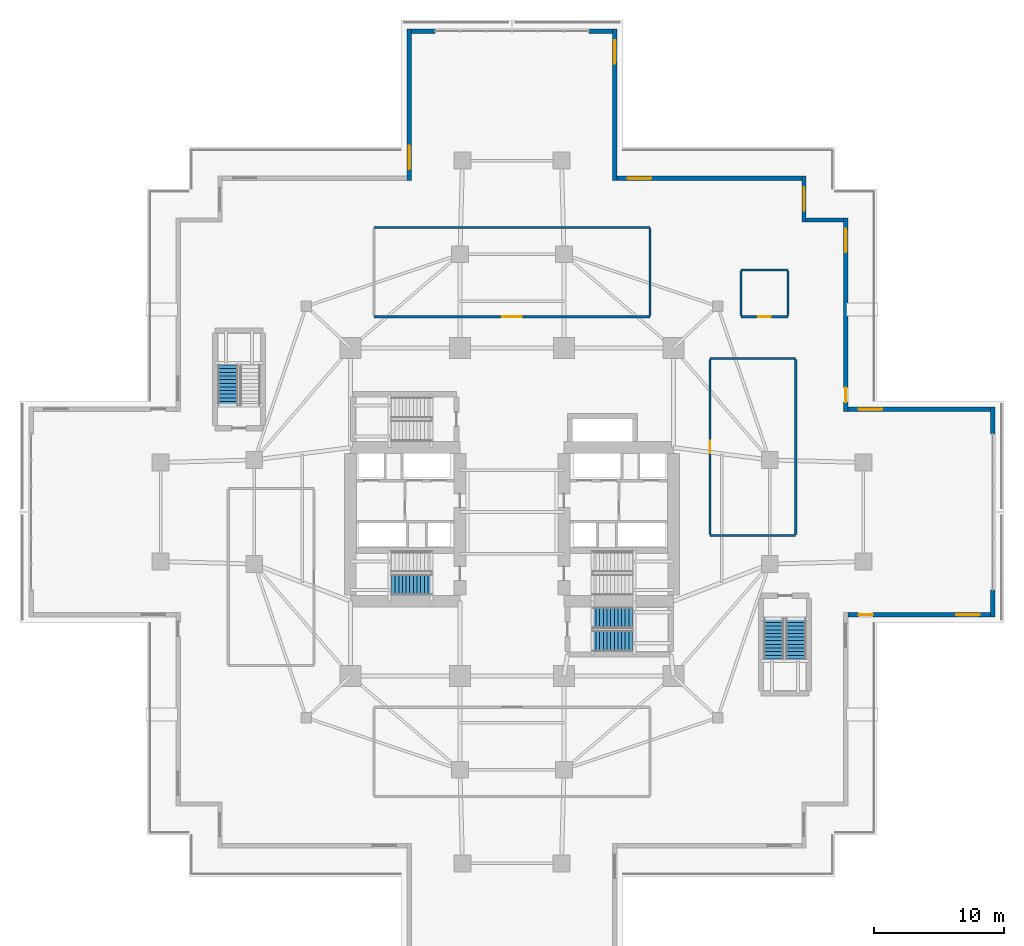
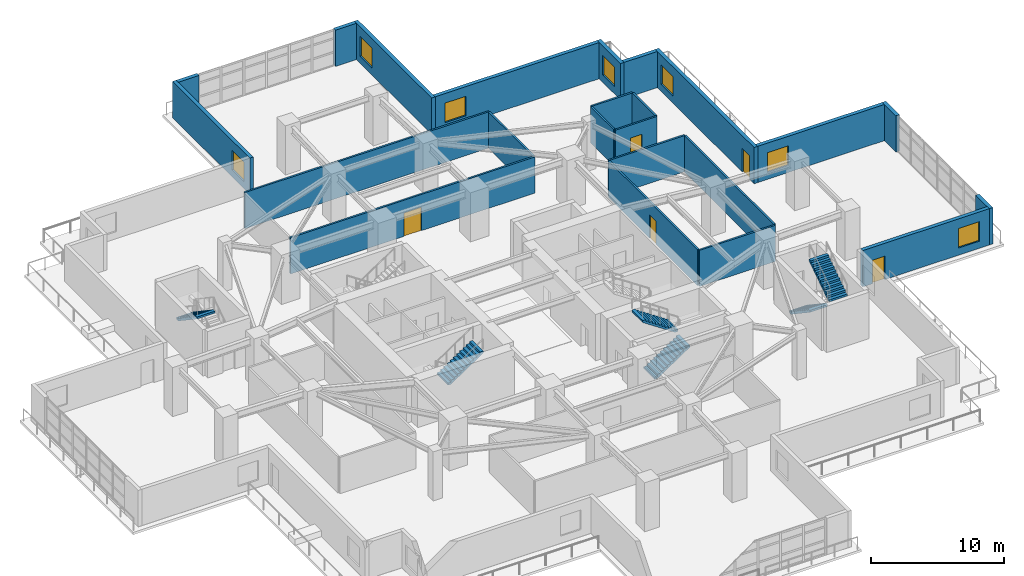
# One storey, part 17 of 24: 23 walls, 7 windows, 6 stair flights, 5 doors, 12 openings, 4 elements without a shape of their own.
"""IFC4 building model written with IfcOpenShell, lengths in metres."""

import ifcopenshell
import ifcopenshell.guid

model = None  # the IFC model being written
_history = None  # IfcOwnerHistory: only IFC2X3 demands one
_inside = {}  # id of a spatial element -> (the spatial element, [elements in it])
_under = {}  # id of a project, library or spatial element -> (it, [spatial elements below it])
_declared = {}  # id of a project -> (the project, [libraries it declares])
_typed = {}  # id of a type object -> (the type object, [elements of that type])
_made_of = {}  # id of a material, layer set ... -> (it, [elements and type objects made of it])


def new_model(schema):
    """Start an empty IFC model of exactly this schema.

    Asked for "IFC4X3", IfcOpenShell would pick the latest addendum, in which some entities
    have other attributes; the version numbers below select the first issue.
    IFC2X3 requires an IfcOwnerHistory on every rooted entity: one is made here for all.
    """
    global model, _history
    if schema == "IFC4X3":
        model = ifcopenshell.file(schema_version=(4, 3, 0, 0))
    else:
        model = ifcopenshell.file(schema=schema)
    _inside.clear()
    _under.clear()
    _declared.clear()
    _typed.clear()
    _made_of.clear()
    _history = None
    if model.schema == "IFC2X3":
        org = make("IfcOrganization", Name="unknown")
        user = make(
            "IfcPersonAndOrganization",
            ThePerson=make("IfcPerson", FamilyName="unknown"),
            TheOrganization=org,
        )
        app = make(
            "IfcApplication",
            ApplicationDeveloper=org,
            Version="unknown",
            ApplicationFullName="unknown",
            ApplicationIdentifier="unknown",
        )
        _history = make(
            "IfcOwnerHistory",
            OwningUser=user,
            OwningApplication=app,
            ChangeAction="ADDED",
            CreationDate=0,
        )
    return model


def make(cls, **values):
    """One entity of the class cls with the attributes given. An attribute that is None is left unset."""
    return model.create_entity(
        cls, **{name: value for name, value in values.items() if value is not None}
    )


def rooted(cls, **values):
    """An entity with a GlobalId (a new one), such as an element, a storey or a relation."""
    return make(cls, GlobalId=ifcopenshell.guid.new(), OwnerHistory=_history, **values)


def si_unit(unit_type, name, prefix=None):
    """IfcSIUnit, for example si_unit("LENGTHUNIT", "METRE", prefix="MILLI")."""
    return make("IfcSIUnit", UnitType=unit_type, Prefix=prefix, Name=name)


def assignment(units):
    """IfcUnitAssignment: the units of a project."""
    return None if units is None else make("IfcUnitAssignment", Units=units)


def point(xyz):
    """IfcCartesianPoint."""
    return None if xyz is None else make("IfcCartesianPoint", Coordinates=xyz)


def direction(xyz):
    """IfcDirection."""
    return None if xyz is None else make("IfcDirection", DirectionRatios=xyz)


def frame(location, z_axis=None, x_axis=None):
    """IfcAxis2Placement3D, a coordinate frame: its origin and axes. An axis left out is left unset."""
    return make(
        "IfcAxis2Placement3D",
        Location=point(location),
        Axis=direction(z_axis),
        RefDirection=direction(x_axis),
    )


def frame_2d(location, x_axis=None):
    """IfcAxis2Placement2D, a coordinate frame in the plane: its origin and x axis."""
    return make(
        "IfcAxis2Placement2D", Location=point(location), RefDirection=direction(x_axis)
    )


def origin():
    """The frame at (0, 0, 0) with its axes left unset."""
    return frame((0.0, 0.0, 0.0))


def place(relative_to, where):
    """IfcLocalPlacement: puts the frame where relative to a parent placement (None: the world)."""
    return make(
        "IfcLocalPlacement", PlacementRelTo=relative_to, RelativePlacement=where
    )


def context(
    kind, dimensions, precision=None, world=None, true_north=None, identifier=None
):
    """IfcGeometricRepresentationContext, for example the 3D "Model" context."""
    return make(
        "IfcGeometricRepresentationContext",
        ContextIdentifier=identifier,
        ContextType=kind,
        CoordinateSpaceDimension=dimensions,
        Precision=precision,
        WorldCoordinateSystem=world,
        TrueNorth=true_north,
    )


def subcontext(parent, identifier, kind, view, scale=None):
    """IfcGeometricRepresentationSubContext, for example "Body" below "Model"."""
    return make(
        "IfcGeometricRepresentationSubContext",
        ContextIdentifier=identifier,
        ContextType=kind,
        ParentContext=parent,
        TargetScale=scale,
        TargetView=view,
    )


def project(units=None, contexts=None):
    """IfcProject with its units and contexts."""
    return rooted(
        "IfcProject",
        Name="project",
        RepresentationContexts=contexts,
        UnitsInContext=assignment(units),
    )


def spatial(cls, under=None, at=None, **own):
    """A site, building, storey or space (cls), placed at a placement, below another one or the project."""
    s = rooted(cls, ObjectPlacement=at, **own)
    if under is not None:
        _under.setdefault(under.id(), (under, []))[1].append(s)
    return s


def polyline(points):
    """IfcPolyline through the points."""
    return make("IfcPolyline", Points=[point(p) for p in points])


def profile(cls, at=None, kind="AREA", **sizes):
    """A parametric profile (cls). Its sizes go by their IFC names, for example OverallWidth=200.0."""
    return make(cls, ProfileType=kind, Position=at, **sizes)


def rectangle(**sizes):
    """IfcRectangleProfileDef."""
    return profile("IfcRectangleProfileDef", **sizes)


def outline(outer, holes=None, kind="AREA"):
    """IfcArbitraryClosedProfileDef: a profile drawn as a closed curve; with holes, ...WithVoids."""
    if holes is None:
        return make("IfcArbitraryClosedProfileDef", ProfileType=kind, OuterCurve=outer)
    return make(
        "IfcArbitraryProfileDefWithVoids",
        ProfileType=kind,
        OuterCurve=outer,
        InnerCurves=holes,
    )


def extrude(swept, where, along, depth):
    """IfcExtrudedAreaSolid: the profile swept, set in the frame where, extruded along a direction by depth."""
    return make(
        "IfcExtrudedAreaSolid",
        SweptArea=swept,
        Position=where,
        ExtrudedDirection=direction(along),
        Depth=depth,
    )


def shape(context_of_items, identifier, shape_type, items):
    """IfcShapeRepresentation: the items that make up one representation, for example the "Body"."""
    return make(
        "IfcShapeRepresentation",
        ContextOfItems=context_of_items,
        RepresentationIdentifier=identifier,
        RepresentationType=shape_type,
        Items=items,
    )


def material(Name=None, Category=None):
    """IfcMaterial."""
    return make("IfcMaterial", Name=Name, Category=Category)


def layer(
    of_material, thickness, ventilated=None, Name=None, Category=None, Priority=None
):
    """IfcMaterialLayer: one layer of a wall or slab, of a material (None: an air gap)."""
    return make(
        "IfcMaterialLayer",
        Material=of_material,
        LayerThickness=thickness,
        IsVentilated=ventilated,
        Name=Name,
        Category=Category,
        Priority=Priority,
    )


def layer_set(layers, Name=None):
    """IfcMaterialLayerSet."""
    return make("IfcMaterialLayerSet", MaterialLayers=layers, LayerSetName=Name)


def made_of(thing, what):
    """Note that an element or type object is made of a material, layer set ...; save() writes the relation."""
    if what is not None:
        _made_of.setdefault(what.id(), (what, []))[1].append(thing)
    return thing


def type_object(cls, material=None, **own):
    """A type object (cls), such as IfcWallType, which elements share."""
    return made_of(rooted(cls, **own), material)


def element(
    cls,
    number,
    at=None,
    inside=None,
    cuts=None,
    type_object=None,
    material=None,
    context=None,
    identifier="Body",
    shape_type=None,
    held_by="IfcProductDefinitionShape",
    body=None,
    shapes=None,
    **own,
):
    """One element of the class cls, such as IfcWall. Its Tag is "e" and its number.

    at: its placement. inside: the storey or other place that contains it. cuts: it is an
    opening in that element (IfcRelVoidsElement). A single representation is given by context,
    identifier, shape_type and body (its items); several are given by shapes. held_by: the class
    of the entity that holds the representations. save() writes the other relations.
    """
    e = rooted(cls, Tag="e%d" % number, ObjectPlacement=at, **own)
    if body is not None:
        shapes = [shape(context, identifier, shape_type, body)]
    if shapes is not None:
        e.Representation = make(held_by, Representations=shapes)
    if inside is not None:
        _inside.setdefault(inside.id(), (inside, []))[1].append(e)
    if cuts is not None:
        rooted(
            "IfcRelVoidsElement", RelatingBuildingElement=cuts, RelatedOpeningElement=e
        )
    if type_object is not None:
        _typed.setdefault(type_object.id(), (type_object, []))[1].append(e)
    return made_of(e, material)


def fill(opening, filler):
    """IfcRelFillsElement: the door or window that sits in an opening."""
    return rooted(
        "IfcRelFillsElement",
        RelatingOpeningElement=opening,
        RelatedBuildingElement=filler,
    )


def aggregate(whole, parts):
    """IfcRelAggregates: a whole, such as a stair, and the parts it consists of."""
    return rooted("IfcRelAggregates", RelatingObject=whole, RelatedObjects=parts)


def save(model, path):
    """Write the relations noted so far, then the file.

    IfcRelAggregates (storeys below a building ...), IfcRelContainedInSpatialStructure (elements
    in a storey), IfcRelDefinesByType, IfcRelAssociatesMaterial and IfcRelDeclares: one each for
    every whole, place, type object, material and project.
    """
    for whole, parts in _under.values():
        aggregate(whole, parts)
    for where, things in _inside.values():
        rooted(
            "IfcRelContainedInSpatialStructure",
            RelatedElements=things,
            RelatingStructure=where,
        )
    for kind, things in _typed.values():
        rooted("IfcRelDefinesByType", RelatedObjects=things, RelatingType=kind)
    for what, things in _made_of.values():
        rooted("IfcRelAssociatesMaterial", RelatedObjects=things, RelatingMaterial=what)
    for by, libraries in _declared.values():
        rooted("IfcRelDeclares", RelatingContext=by, RelatedDefinitions=libraries)
    model.write(path)


model = new_model("IFC4")

# Units and contexts
model_context = context("Model", 3, precision=1e-05, world=origin(), true_north=direction((0.0, 1.0)))
body_context = subcontext(model_context, "Body", "Model", "MODEL_VIEW")
ifc_project = project(units=[si_unit("LENGTHUNIT", "METRE"), si_unit("AREAUNIT", "SQUARE_METRE"), si_unit("VOLUMEUNIT", "CUBIC_METRE"), si_unit("PLANEANGLEUNIT", "RADIAN"), si_unit("MASSUNIT", "GRAM", prefix="KILO")], contexts=[model_context])

# Site, building, storey
site_placement = place(None, origin())
site = spatial("IfcSite", under=ifc_project, at=site_placement, CompositionType="ELEMENT")
building_placement = place(site_placement, origin())
building = spatial("IfcBuilding", under=site, at=building_placement, Name="Qingluan Cross Belvedere", CompositionType="ELEMENT")
storey_placement = place(building_placement, frame((0.0, 0.0, 14.699951171875)))
storey = spatial("IfcBuildingStorey", under=building, at=storey_placement, Name="L04", CompositionType="ELEMENT", Elevation=14.699951171875)

# Wall, opening, door
ifc_material_1 = material(Name="Gypsum plasterboard on steel stud acoustic partition", Category="steel")
ifc_layer_1 = layer(ifc_material_1, 0.159912109375, Name="CorridorPartition_160")
ifc_layer_set_1 = layer_set([ifc_layer_1], Name="Gypsum plasterboard on steel stud acoustic partition")
wall_type_1 = type_object("IfcWallType", Name="CorridorPartition_160", PredefinedType="PARTITIONING", material=ifc_layer_set_1)
wall_1_placement = place(storey_placement, frame((-10.60009765625, 15.0, 0.0), z_axis=(0.0, 0.0, 1.0), x_axis=(1.0, 0.0, 0.0)))
wall_1 = element("IfcWall", 1, at=wall_1_placement, inside=storey, type_object=wall_type_1, Name="Partition L04:pod_n:S", PredefinedType="PARTITIONING", context=body_context, shape_type="SweptSolid", body=[
    extrude(rectangle(XDim=21.2001953125, YDim=0.159912109375, at=frame_2d((10.60009765625, 0.0))), origin(), (0.0, 0.0, 1.0), 3.320068359375),
])
opening_1_placement = place(wall_1_placement, frame((9.85009765625, 0.0, 0.0)))
opening_1 = element("IfcOpeningElement", 2, at=opening_1_placement, cuts=wall_1, Name="Opening FD-A15", PredefinedType="OPENING", context=body_context, shape_type="SweptSolid", body=[
    extrude(rectangle(XDim=1.5, YDim=2.14990234375, at=frame_2d((0.75, 1.074951171875))), frame((0.0, 0.08984375, 0.0), z_axis=(0.0, -1.0, 0.0), x_axis=(1.0, 0.0, 0.0)), (0.0, 0.0, 1.0), 0.179931640625),
])
ifc_material_2 = material(Name="Insulated steel Class A double fire door", Category="steel")
door_type_1 = type_object("IfcDoorType", Name="PlantDoubleFireDoor_FDA", OperationType="DOUBLE_DOOR_SINGLE_SWING", PredefinedType="DOOR", material=ifc_material_2)
door_1_placement = place(opening_1_placement, origin())
door_1 = element("IfcDoor", 3, at=door_1_placement, inside=storey, type_object=door_type_1, Name="Signature Cantonese restaurant North L04 door", OperationType="DOUBLE_DOOR_SINGLE_SWING", OverallHeight=2.14990234375, OverallWidth=1.5, PredefinedType="DOOR", context=body_context, shape_type="SweptSolid", body=[
    extrude(rectangle(XDim=1.5, YDim=2.14990234375, at=frame_2d((0.75, 1.074951171875))), frame((0.0, 0.02490234375, 0.0), z_axis=(0.0, -1.0, 0.0), x_axis=(1.0, 0.0, 0.0)), (0.0, 0.0, 1.0), 0.050048828125),
])
fill(opening_1, door_1)

# Walls
wall_2_placement = place(storey_placement, frame((-10.60009765625, 21.85009765625, 0.0), z_axis=(0.0, 0.0, 1.0), x_axis=(1.0, 0.0, 0.0)))
element("IfcWall", 4, at=wall_2_placement, inside=storey, type_object=wall_type_1, Name="Partition L04:pod_n:N", PredefinedType="PARTITIONING", context=body_context, shape_type="SweptSolid", body=[
    extrude(rectangle(XDim=21.2001953125, YDim=0.159912109375, at=frame_2d((10.60009765625, 0.0))), origin(), (0.0, 0.0, 1.0), 3.320068359375),
])
wall_3_placement = place(storey_placement, frame((10.60009765625, 15.0849609375, 0.0), z_axis=(0.0, 0.0, 1.0), x_axis=(0.0, 1.0, 0.0)))
element("IfcWall", 5, at=wall_3_placement, inside=storey, type_object=wall_type_1, Name="Partition L04:pod_n:E", PredefinedType="PARTITIONING", context=body_context, shape_type="SweptSolid", body=[
    extrude(rectangle(XDim=6.679931640625, YDim=0.159912109375, at=frame_2d((3.33984375, 0.0))), origin(), (0.0, 0.0, 1.0), 3.320068359375),
])
for number, where, z_axis, x_axis, name in (
    (6, (15.199951171875, -1.800048828125, 0.0), (0.0, 0.0, 1.0), (1.0, 0.0, 0.0), "Partition L04:pod_e:S"),
    (7, (15.199951171875, 11.800048828125, 0.0), (0.0, 0.0, 1.0), (1.0, 0.0, 0.0), "Partition L04:pod_e:N"),
):
    element("IfcWall", number, at=place(storey_placement, frame(where, z_axis=z_axis, x_axis=x_axis)), inside=storey, type_object=wall_type_1, Name=name, PredefinedType="PARTITIONING", context=body_context, shape_type="SweptSolid", body=[
        extrude(rectangle(XDim=6.60009765625, YDim=0.159912109375, at=frame_2d((3.300048828125, 0.0))), origin(), (0.0, 0.0, 1.0), 3.320068359375),
    ])

# Wall, opening, door
wall_4_placement = place(storey_placement, frame((15.199951171875, -1.715087890625, 0.0), z_axis=(0.0, 0.0, 1.0), x_axis=(0.0, 1.0, 0.0)))
wall_4 = element("IfcWall", 8, at=wall_4_placement, inside=storey, type_object=wall_type_1, Name="Partition L04:pod_e:W", PredefinedType="PARTITIONING", context=body_context, shape_type="SweptSolid", body=[
    extrude(rectangle(XDim=13.43017578125, YDim=0.159912109375, at=frame_2d((6.715087890625, 0.0))), origin(), (0.0, 0.0, 1.0), 3.320068359375),
])
opening_2_placement = place(wall_4_placement, frame((6.235107421875, 0.0, 0.0)))
opening_2 = element("IfcOpeningElement", 9, at=opening_2_placement, cuts=wall_4, Name="Opening GD-10", PredefinedType="OPENING", context=body_context, shape_type="SweptSolid", body=[
    extrude(rectangle(XDim=0.9599609375, YDim=2.14990234375, at=frame_2d((0.47998046875, 1.074951171875))), frame((0.0, 0.08984375, 0.0), z_axis=(0.0, -1.0, 0.0), x_axis=(1.0, 0.0, 0.0)), (0.0, 0.0, 1.0), 0.179931640625),
])
ifc_material_3 = material(Name="Timber oak fire-rated acoustic guestroom door", Category="wood")
door_type_2 = type_object("IfcDoorType", Name="GuestEntryDoor_FD60", OperationType="NOTDEFINED", PredefinedType="DOOR", material=ifc_material_3)
door_2_placement = place(opening_2_placement, origin())
door_2 = element("IfcDoor", 10, at=door_2_placement, inside=storey, type_object=door_type_2, Name="Private dining rooms East L04 door", OperationType="SINGLE_SWING_RIGHT", OverallHeight=2.14990234375, OverallWidth=0.9599609375, PredefinedType="DOOR", context=body_context, shape_type="SweptSolid", body=[
    extrude(rectangle(XDim=0.9599609375, YDim=2.14990234375, at=frame_2d((0.47998046875, 1.074951171875))), frame((0.0, 0.02490234375, 0.0), z_axis=(0.0, -1.0, 0.0), x_axis=(1.0, 0.0, 0.0)), (0.0, 0.0, 1.0), 0.050048828125),
])
fill(opening_2, door_2)

# Wall
wall_5_placement = place(storey_placement, frame((21.800048828125, -1.715087890625, 0.0), z_axis=(0.0, 0.0, 1.0), x_axis=(0.0, 1.0, 0.0)))
element("IfcWall", 11, at=wall_5_placement, inside=storey, type_object=wall_type_1, Name="Partition L04:pod_e:E", PredefinedType="PARTITIONING", context=body_context, shape_type="SweptSolid", body=[
    extrude(rectangle(XDim=13.43017578125, YDim=0.159912109375, at=frame_2d((6.715087890625, 0.0))), origin(), (0.0, 0.0, 1.0), 3.320068359375),
])

# Wall, opening, door
wall_6_placement = place(storey_placement, frame((17.60009765625, 15.0, 0.0), z_axis=(0.0, 0.0, 1.0), x_axis=(1.0, 0.0, 0.0)))
wall_6 = element("IfcWall", 12, at=wall_6_placement, inside=storey, type_object=wall_type_1, Name="Partition L04:pod_wc:S", PredefinedType="PARTITIONING", context=body_context, shape_type="SweptSolid", body=[
    extrude(rectangle(XDim=3.599853515625, YDim=0.159912109375, at=frame_2d((1.7998046875, 0.0))), origin(), (0.0, 0.0, 1.0), 3.320068359375),
])
opening_3_placement = place(wall_6_placement, frame((1.320068359375, 0.0, 0.0)))
opening_3 = element("IfcOpeningElement", 13, at=opening_3_placement, cuts=wall_6, Name="Opening GD-10", PredefinedType="OPENING", context=body_context, shape_type="SweptSolid", body=[
    extrude(rectangle(XDim=0.9599609375, YDim=2.14990234375, at=frame_2d((0.47998046875, 1.074951171875))), frame((0.0, 0.08984375, 0.0), z_axis=(0.0, -1.0, 0.0), x_axis=(1.0, 0.0, 0.0)), (0.0, 0.0, 1.0), 0.179931640625),
])
door_3_placement = place(opening_3_placement, origin())
door_3 = element("IfcDoor", 14, at=door_3_placement, inside=storey, type_object=door_type_2, Name="Public washrooms L04 door", OperationType="SINGLE_SWING_RIGHT", OverallHeight=2.14990234375, OverallWidth=0.9599609375, PredefinedType="DOOR", context=body_context, shape_type="SweptSolid", body=[
    extrude(rectangle(XDim=0.9599609375, YDim=2.14990234375, at=frame_2d((0.47998046875, 1.074951171875))), frame((0.0, 0.02490234375, 0.0), z_axis=(0.0, -1.0, 0.0), x_axis=(1.0, 0.0, 0.0)), (0.0, 0.0, 1.0), 0.050048828125),
])
fill(opening_3, door_3)

# Walls
wall_7_placement = place(storey_placement, frame((17.60009765625, 18.60009765625, 0.0), z_axis=(0.0, 0.0, 1.0), x_axis=(1.0, 0.0, 0.0)))
element("IfcWall", 15, at=wall_7_placement, inside=storey, type_object=wall_type_1, Name="Partition L04:pod_wc:N", PredefinedType="PARTITIONING", context=body_context, shape_type="SweptSolid", body=[
    extrude(rectangle(XDim=3.599853515625, YDim=0.159912109375, at=frame_2d((1.7998046875, 0.0))), origin(), (0.0, 0.0, 1.0), 3.320068359375),
])
for number, where, z_axis, x_axis, name in (
    (16, (17.60009765625, 15.0849609375, 0.0), (0.0, 0.0, 1.0), (0.0, 1.0, 0.0), "Partition L04:pod_wc:W"),
    (17, (21.199951171875, 15.0849609375, 0.0), (0.0, 0.0, 1.0), (0.0, 1.0, 0.0), "Partition L04:pod_wc:E"),
):
    element("IfcWall", number, at=place(storey_placement, frame(where, z_axis=z_axis, x_axis=x_axis)), inside=storey, type_object=wall_type_1, Name=name, PredefinedType="PARTITIONING", context=body_context, shape_type="SweptSolid", body=[
        extrude(rectangle(XDim=3.429931640625, YDim=0.159912109375, at=frame_2d((1.71484375, 0.0))), origin(), (0.0, 0.0, 1.0), 3.320068359375),
    ])

# Wall, opening, window
ifc_material_4 = material(Name="Precast concrete C45", Category="concrete")
ifc_layer_2 = layer(ifc_material_4, 0.320068359375, Name="PrecastPodiumWall_320")
ifc_layer_set_2 = layer_set([ifc_layer_2], Name="Precast concrete C45")
wall_type_2 = type_object("IfcWallType", Name="PrecastPodiumWall_320", PredefinedType="STANDARD", material=ifc_layer_set_2)
wall_8_placement = place(storey_placement, frame((-7.889892578125, 25.47998046875, 0.0), z_axis=(0.0, 0.0, 1.0), x_axis=(0.0, 1.0, 0.0)))
wall_8 = element("IfcWall", 18, at=wall_8_placement, inside=storey, type_object=wall_type_2, Name="Podium precast facade wall L04-S18", PredefinedType="STANDARD", context=body_context, shape_type="SweptSolid", body=[
    extrude(rectangle(XDim=11.6201171875, YDim=0.320068359375, at=frame_2d((5.81005859375, 0.0))), origin(), (0.0, 0.0, 1.0), 3.330078125),
])
opening_4_placement = place(wall_8_placement, frame((0.85009765625, 0.0, 0.64990234375)))
opening_4 = element("IfcOpeningElement", 19, at=opening_4_placement, cuts=wall_8, Name="Opening W-06", PredefinedType="OPENING", context=body_context, shape_type="SweptSolid", body=[
    extrude(rectangle(XDim=1.800048828125, YDim=1.800048828125, at=frame_2d((0.89990234375, 0.89990234375))), frame((0.0, 0.169921875, 0.0), z_axis=(0.0, -1.0, 0.0), x_axis=(1.0, 0.0, 0.0)), (0.0, 0.0, 1.0), 0.340087890625),
])
ifc_material_5 = material(Name="Thermally broken triple Low-E glass in aluminium frame", Category="aluminium")
window_type = type_object("IfcWindowType", Name="PodiumGalleryWin_1800x1800", PartitioningType="SINGLE_PANEL", PredefinedType="WINDOW", material=ifc_material_5)
window_1_placement = place(opening_4_placement, origin())
window_1 = element("IfcWindow", 20, at=window_1_placement, inside=storey, type_object=window_type, Name="Podium gallery window L04-S18", OverallHeight=1.800048828125, OverallWidth=1.800048828125, PartitioningType="SINGLE_PANEL", PredefinedType="WINDOW", context=body_context, shape_type="SweptSolid", body=[
    extrude(rectangle(XDim=1.800048828125, YDim=1.800048828125, at=frame_2d((0.89990234375, 0.89990234375))), frame((0.0, 0.030029296875, 0.0), z_axis=(0.0, -1.0, 0.0), x_axis=(1.0, 0.0, 0.0)), (0.0, 0.0, 1.0), 0.06005859375),
])
fill(opening_4, window_1)

# Walls
for number, where, z_axis, x_axis, name in (
    (21, (-7.72998046875, 36.93994140625, 0.0), (0.0, 0.0, 1.0), (1.0, 0.0, 0.0), "Podium portal pier L04-P3JA"),
    (22, (5.929931640625, 36.93994140625, 0.0), (0.0, 0.0, 1.0), (1.0, 0.0, 0.0), "Podium portal pier L04-P3JB"),
):
    element("IfcWall", number, at=place(storey_placement, frame(where, z_axis=z_axis, x_axis=x_axis)), inside=storey, type_object=wall_type_2, Name=name, PredefinedType="STANDARD", context=body_context, shape_type="SweptSolid", body=[
        extrude(rectangle(XDim=1.800048828125, YDim=0.320068359375, at=frame_2d((0.89990234375, 0.0))), origin(), (0.0, 0.0, 1.0), 3.330078125),
    ])

# Wall, opening, window
wall_9_placement = place(storey_placement, frame((7.889892578125, 37.10009765625, 0.0), z_axis=(0.0, 0.0, 1.0), x_axis=(0.0, -1.0, 0.0)))
wall_9 = element("IfcWall", 23, at=wall_9_placement, inside=storey, type_object=wall_type_2, Name="Podium precast facade wall L04-S21", PredefinedType="STANDARD", context=body_context, shape_type="SweptSolid", body=[
    extrude(rectangle(XDim=11.6201171875, YDim=0.320068359375, at=frame_2d((5.81005859375, 0.0))), origin(), (0.0, 0.0, 1.0), 3.330078125),
])
opening_5_placement = place(wall_9_placement, frame((0.85009765625, 0.0, 0.64990234375)))
opening_5 = element("IfcOpeningElement", 24, at=opening_5_placement, cuts=wall_9, Name="Opening W-06", PredefinedType="OPENING", context=body_context, shape_type="SweptSolid", body=[
    extrude(rectangle(XDim=1.800048828125, YDim=1.800048828125, at=frame_2d((0.89990234375, 0.89990234375))), frame((0.0, 0.169921875, 0.0), z_axis=(0.0, -1.0, 0.0), x_axis=(1.0, 0.0, 0.0)), (0.0, 0.0, 1.0), 0.340087890625),
])
window_2_placement = place(opening_5_placement, origin())
window_2 = element("IfcWindow", 25, at=window_2_placement, inside=storey, type_object=window_type, Name="Podium gallery window L04-S21", OverallHeight=1.800048828125, OverallWidth=1.800048828125, PartitioningType="SINGLE_PANEL", PredefinedType="WINDOW", context=body_context, shape_type="SweptSolid", body=[
    extrude(rectangle(XDim=1.800048828125, YDim=1.800048828125, at=frame_2d((0.89990234375, 0.89990234375))), frame((0.0, 0.030029296875, 0.0), z_axis=(0.0, -1.0, 0.0), x_axis=(1.0, 0.0, 0.0)), (0.0, 0.0, 1.0), 0.06005859375),
])
fill(opening_5, window_2)

wall_10_placement = place(storey_placement, frame((8.050048828125, 25.639892578125, 0.0), z_axis=(0.0, 0.0, 1.0), x_axis=(1.0, 0.0, 0.0)))
wall_10 = element("IfcWall", 26, at=wall_10_placement, inside=storey, type_object=wall_type_2, Name="Podium precast facade wall L04-S22", PredefinedType="STANDARD", context=body_context, shape_type="SweptSolid", body=[
    extrude(rectangle(XDim=14.22998046875, YDim=0.320068359375, at=frame_2d((7.114990234375, 0.0))), origin(), (0.0, 0.0, 1.0), 3.330078125),
])
opening_6_placement = place(wall_10_placement, frame((0.85009765625, 0.0, 0.64990234375)))
opening_6 = element("IfcOpeningElement", 27, at=opening_6_placement, cuts=wall_10, Name="Opening W-06", PredefinedType="OPENING", context=body_context, shape_type="SweptSolid", body=[
    extrude(rectangle(XDim=1.800048828125, YDim=1.800048828125, at=frame_2d((0.89990234375, 0.89990234375))), frame((0.0, 0.169921875, 0.0), z_axis=(0.0, -1.0, 0.0), x_axis=(1.0, 0.0, 0.0)), (0.0, 0.0, 1.0), 0.340087890625),
])
window_3_placement = place(opening_6_placement, origin())
window_3 = element("IfcWindow", 28, at=window_3_placement, inside=storey, type_object=window_type, Name="Podium gallery window L04-S22", OverallHeight=1.800048828125, OverallWidth=1.800048828125, PartitioningType="SINGLE_PANEL", PredefinedType="WINDOW", context=body_context, shape_type="SweptSolid", body=[
    extrude(rectangle(XDim=1.800048828125, YDim=1.800048828125, at=frame_2d((0.89990234375, 0.89990234375))), frame((0.0, 0.030029296875, 0.0), z_axis=(0.0, -1.0, 0.0), x_axis=(1.0, 0.0, 0.0)), (0.0, 0.0, 1.0), 0.06005859375),
])
fill(opening_6, window_3)

wall_11_placement = place(storey_placement, frame((22.43994140625, 25.800048828125, 0.0), z_axis=(0.0, 0.0, 1.0), x_axis=(0.0, -1.0, 0.0)))
wall_11 = element("IfcWall", 29, at=wall_11_placement, inside=storey, type_object=wall_type_2, Name="Podium precast facade wall L04-S23", PredefinedType="STANDARD", context=body_context, shape_type="SweptSolid", body=[
    extrude(rectangle(XDim=3.52001953125, YDim=0.320068359375, at=frame_2d((1.760009765625, 0.0))), origin(), (0.0, 0.0, 1.0), 3.330078125),
])
opening_7_placement = place(wall_11_placement, frame((0.85009765625, 0.0, 0.64990234375)))
opening_7 = element("IfcOpeningElement", 30, at=opening_7_placement, cuts=wall_11, Name="Opening W-06", PredefinedType="OPENING", context=body_context, shape_type="SweptSolid", body=[
    extrude(rectangle(XDim=1.800048828125, YDim=1.800048828125, at=frame_2d((0.89990234375, 0.89990234375))), frame((0.0, 0.169921875, 0.0), z_axis=(0.0, -1.0, 0.0), x_axis=(1.0, 0.0, 0.0)), (0.0, 0.0, 1.0), 0.340087890625),
])
window_4_placement = place(opening_7_placement, origin())
window_4 = element("IfcWindow", 31, at=window_4_placement, inside=storey, type_object=window_type, Name="Podium gallery window L04-S23", OverallHeight=1.800048828125, OverallWidth=1.800048828125, PartitioningType="SINGLE_PANEL", PredefinedType="WINDOW", context=body_context, shape_type="SweptSolid", body=[
    extrude(rectangle(XDim=1.800048828125, YDim=1.800048828125, at=frame_2d((0.89990234375, 0.89990234375))), frame((0.0, 0.030029296875, 0.0), z_axis=(0.0, -1.0, 0.0), x_axis=(1.0, 0.0, 0.0)), (0.0, 0.0, 1.0), 0.06005859375),
])
fill(opening_7, window_4)

# Wall
wall_12_placement = place(storey_placement, frame((22.60009765625, 22.43994140625, 0.0), z_axis=(0.0, 0.0, 1.0), x_axis=(1.0, 0.0, 0.0)))
element("IfcWall", 32, at=wall_12_placement, inside=storey, type_object=wall_type_2, Name="Podium precast facade wall L04-S24", PredefinedType="STANDARD", context=body_context, shape_type="SweptSolid", body=[
    extrude(rectangle(XDim=2.8798828125, YDim=0.320068359375, at=frame_2d((1.43994140625, 0.0))), origin(), (0.0, 0.0, 1.0), 3.330078125),
])

# Wall, openings, window, door
wall_13_placement = place(storey_placement, frame((25.639892578125, 22.60009765625, 0.0), z_axis=(0.0, 0.0, 1.0), x_axis=(0.0, -1.0, 0.0)))
wall_13 = element("IfcWall", 33, at=wall_13_placement, inside=storey, type_object=wall_type_2, Name="Podium precast facade wall L04-S25", PredefinedType="STANDARD", context=body_context, shape_type="SweptSolid", body=[
    extrude(rectangle(XDim=14.8701171875, YDim=0.320068359375, at=frame_2d((7.43505859375, 0.0))), origin(), (0.0, 0.0, 1.0), 3.330078125),
])
opening_8_placement = place(wall_13_placement, frame((0.85009765625, 0.0, 0.64990234375)))
opening_8 = element("IfcOpeningElement", 34, at=opening_8_placement, cuts=wall_13, Name="Opening W-06", PredefinedType="OPENING", context=body_context, shape_type="SweptSolid", body=[
    extrude(rectangle(XDim=1.800048828125, YDim=1.800048828125, at=frame_2d((0.89990234375, 0.89990234375))), frame((0.0, 0.169921875, 0.0), z_axis=(0.0, -1.0, 0.0), x_axis=(1.0, 0.0, 0.0)), (0.0, 0.0, 1.0), 0.340087890625),
])
opening_9_placement = place(wall_13_placement, frame((13.050048828125, 0.0, 0.0)))
opening_9 = element("IfcOpeningElement", 35, at=opening_9_placement, cuts=wall_13, Name="Opening TD-11", PredefinedType="OPENING", context=body_context, shape_type="SweptSolid", body=[
    extrude(rectangle(XDim=1.10009765625, YDim=2.14990234375, at=frame_2d((0.550048828125, 1.074951171875))), frame((0.0, 0.169921875, 0.0), z_axis=(0.0, -1.0, 0.0), x_axis=(1.0, 0.0, 0.0)), (0.0, 0.0, 1.0), 0.340087890625),
])
window_5_placement = place(opening_8_placement, origin())
window_5 = element("IfcWindow", 36, at=window_5_placement, inside=storey, type_object=window_type, Name="Podium gallery window L04-S25", OverallHeight=1.800048828125, OverallWidth=1.800048828125, PartitioningType="SINGLE_PANEL", PredefinedType="WINDOW", context=body_context, shape_type="SweptSolid", body=[
    extrude(rectangle(XDim=1.800048828125, YDim=1.800048828125, at=frame_2d((0.89990234375, 0.89990234375))), frame((0.0, 0.030029296875, 0.0), z_axis=(0.0, -1.0, 0.0), x_axis=(1.0, 0.0, 0.0)), (0.0, 0.0, 1.0), 0.06005859375),
])
fill(opening_8, window_5)
ifc_material_6 = material(Name="Thermally broken aluminium and Low-E glass", Category="aluminium")
door_type_3 = type_object("IfcDoorType", Name="TerraceGlazedDoor_1100", OperationType="NOTDEFINED", PredefinedType="DOOR", material=ifc_material_6)
door_4_placement = place(opening_9_placement, origin())
door_4 = element("IfcDoor", 37, at=door_4_placement, inside=storey, type_object=door_type_3, Name="Cascade terrace door L04-1", OperationType="SINGLE_SWING_RIGHT", OverallHeight=2.14990234375, OverallWidth=1.10009765625, PredefinedType="DOOR", context=body_context, shape_type="SweptSolid", body=[
    extrude(rectangle(XDim=1.10009765625, YDim=2.14990234375, at=frame_2d((0.550048828125, 1.074951171875))), frame((0.0, 0.02490234375, 0.0), z_axis=(0.0, -1.0, 0.0), x_axis=(1.0, 0.0, 0.0)), (0.0, 0.0, 1.0), 0.050048828125),
])
fill(opening_9, door_4)

# Wall, opening, window
wall_14_placement = place(storey_placement, frame((25.800048828125, 7.889892578125, 0.0), z_axis=(0.0, 0.0, 1.0), x_axis=(1.0, 0.0, 0.0)))
wall_14 = element("IfcWall", 38, at=wall_14_placement, inside=storey, type_object=wall_type_2, Name="Podium precast facade wall L04-S26", PredefinedType="STANDARD", context=body_context, shape_type="SweptSolid", body=[
    extrude(rectangle(XDim=10.97998046875, YDim=0.320068359375, at=frame_2d((5.489990234375, 0.0))), origin(), (0.0, 0.0, 1.0), 3.330078125),
])
opening_10_placement = place(wall_14_placement, frame((0.85009765625, 0.0, 0.64990234375)))
opening_10 = element("IfcOpeningElement", 39, at=opening_10_placement, cuts=wall_14, Name="Opening W-06", PredefinedType="OPENING", context=body_context, shape_type="SweptSolid", body=[
    extrude(rectangle(XDim=1.800048828125, YDim=1.800048828125, at=frame_2d((0.89990234375, 0.89990234375))), frame((0.0, 0.169921875, 0.0), z_axis=(0.0, -1.0, 0.0), x_axis=(1.0, 0.0, 0.0)), (0.0, 0.0, 1.0), 0.340087890625),
])
window_6_placement = place(opening_10_placement, origin())
window_6 = element("IfcWindow", 40, at=window_6_placement, inside=storey, type_object=window_type, Name="Podium gallery window L04-S26", OverallHeight=1.800048828125, OverallWidth=1.800048828125, PartitioningType="SINGLE_PANEL", PredefinedType="WINDOW", context=body_context, shape_type="SweptSolid", body=[
    extrude(rectangle(XDim=1.800048828125, YDim=1.800048828125, at=frame_2d((0.89990234375, 0.89990234375))), frame((0.0, 0.030029296875, 0.0), z_axis=(0.0, -1.0, 0.0), x_axis=(1.0, 0.0, 0.0)), (0.0, 0.0, 1.0), 0.06005859375),
])
fill(opening_10, window_6)

# Walls
for number, where, z_axis, x_axis, name in (
    (41, (36.93994140625, 8.050048828125, 0.0), (0.0, 0.0, 1.0), (0.0, -1.0, 0.0), "Podium portal pier L04-P4JA"),
    (42, (36.93994140625, -6.0, 0.0), (0.0, 0.0, 1.0), (0.0, -1.0, 0.0), "Podium portal pier L04-P4JB"),
):
    element("IfcWall", number, at=place(storey_placement, frame(where, z_axis=z_axis, x_axis=x_axis)), inside=storey, type_object=wall_type_2, Name=name, PredefinedType="STANDARD", context=body_context, shape_type="SweptSolid", body=[
        extrude(rectangle(XDim=2.050048828125, YDim=0.320068359375, at=frame_2d((1.02490234375, 0.0))), origin(), (0.0, 0.0, 1.0), 3.330078125),
    ])

# Wall, openings, window, door
wall_15_placement = place(storey_placement, frame((36.780029296875, -7.889892578125, 0.0), z_axis=(0.0, 0.0, 1.0), x_axis=(-1.0, 0.0, 0.0)))
wall_15 = element("IfcWall", 43, at=wall_15_placement, inside=storey, type_object=wall_type_2, Name="Podium precast facade wall L04-S29", PredefinedType="STANDARD", context=body_context, shape_type="SweptSolid", body=[
    extrude(rectangle(XDim=10.97998046875, YDim=0.320068359375, at=frame_2d((5.489990234375, 0.0))), origin(), (0.0, 0.0, 1.0), 3.330078125),
])
opening_11_placement = place(wall_15_placement, frame((0.85009765625, 0.0, 0.64990234375)))
opening_11 = element("IfcOpeningElement", 44, at=opening_11_placement, cuts=wall_15, Name="Opening W-06", PredefinedType="OPENING", context=body_context, shape_type="SweptSolid", body=[
    extrude(rectangle(XDim=1.800048828125, YDim=1.800048828125, at=frame_2d((0.89990234375, 0.89990234375))), frame((0.0, 0.169921875, 0.0), z_axis=(0.0, -1.0, 0.0), x_axis=(1.0, 0.0, 0.0)), (0.0, 0.0, 1.0), 0.340087890625),
])
opening_12_placement = place(wall_15_placement, frame((9.050048828125, 0.0, 0.0)))
opening_12 = element("IfcOpeningElement", 45, at=opening_12_placement, cuts=wall_15, Name="Opening TD-11", PredefinedType="OPENING", context=body_context, shape_type="SweptSolid", body=[
    extrude(rectangle(XDim=1.10009765625, YDim=2.14990234375, at=frame_2d((0.550048828125, 1.074951171875))), frame((0.0, 0.169921875, 0.0), z_axis=(0.0, -1.0, 0.0), x_axis=(1.0, 0.0, 0.0)), (0.0, 0.0, 1.0), 0.340087890625),
])
window_7_placement = place(opening_11_placement, origin())
window_7 = element("IfcWindow", 46, at=window_7_placement, inside=storey, type_object=window_type, Name="Podium gallery window L04-S29", OverallHeight=1.800048828125, OverallWidth=1.800048828125, PartitioningType="SINGLE_PANEL", PredefinedType="WINDOW", context=body_context, shape_type="SweptSolid", body=[
    extrude(rectangle(XDim=1.800048828125, YDim=1.800048828125, at=frame_2d((0.89990234375, 0.89990234375))), frame((0.0, 0.030029296875, 0.0), z_axis=(0.0, -1.0, 0.0), x_axis=(1.0, 0.0, 0.0)), (0.0, 0.0, 1.0), 0.06005859375),
])
fill(opening_11, window_7)
door_5_placement = place(opening_12_placement, origin())
door_5 = element("IfcDoor", 47, at=door_5_placement, inside=storey, type_object=door_type_3, Name="Cascade terrace door L04-4", OperationType="SINGLE_SWING_LEFT", OverallHeight=2.14990234375, OverallWidth=1.10009765625, PredefinedType="DOOR", context=body_context, shape_type="SweptSolid", body=[
    extrude(rectangle(XDim=1.10009765625, YDim=2.14990234375, at=frame_2d((0.550048828125, 1.074951171875))), frame((0.0, 0.02490234375, 0.0), z_axis=(0.0, -1.0, 0.0), x_axis=(1.0, 0.0, 0.0)), (0.0, 0.0, 1.0), 0.050048828125),
])
fill(opening_12, door_5)

# Stair, stair flight
ifc_material_7 = material(Name="Concrete C40", Category="concrete")
stair_type_1 = type_object("IfcStairType", Name="PodiumExitStair_1550", PredefinedType="HALF_TURN_STAIR", material=ifc_material_7)
stair_1_placement = place(storey_placement, origin())
stair_1 = element("IfcStair", 48, at=stair_1_placement, inside=storey, type_object=stair_type_1, Name="L04 ST5", PredefinedType="HALF_TURN_STAIR")
ifc_material_8 = material(Name="Concrete C40", Category="concrete")
ifc_layer_3 = layer(ifc_material_8, 0.179931640625, Name="PodiumStairFlight_RC180")
ifc_layer_set_3 = layer_set([ifc_layer_3], Name="Concrete C40")
stair_flight_type_1 = type_object("IfcStairFlightType", Name="PodiumStairFlight_RC180", PredefinedType="STRAIGHT", material=ifc_layer_set_3)
stair_flight_1_placement = place(storey_placement, frame((-21.824951171875, 11.2900390625, 2.25), z_axis=(0.0, 0.0, 1.0), x_axis=(0.0, -1.0, 0.0)))
stair_flight_1 = element("IfcStairFlight", 49, at=stair_flight_1_placement, type_object=stair_flight_type_1, Name="ST5 flight 2", NumberOfRisers=12, NumberOfTreads=11, PredefinedType="STRAIGHT", RiserHeight=0.1875, TreadLength=0.28, context=body_context, shape_type="SweptSolid", body=[
    extrude(outline(polyline([(0.0, 0.0), (0.0, 0.1875), (0.280029296875, 0.1875), (0.280029296875, 0.375), (0.56005859375, 0.375), (0.56005859375, 0.5625), (0.840087890625, 0.5625), (0.840087890625, 0.75), (1.1201171875, 0.75), (1.1201171875, 0.9375), (1.39990234375, 0.9375), (1.39990234375, 1.125), (1.679931640625, 1.125), (1.679931640625, 1.3125), (1.9599609375, 1.3125), (1.9599609375, 1.5), (2.239990234375, 1.5), (2.239990234375, 1.6875), (2.52001953125, 1.6875), (2.52001953125, 1.875), (2.800048828125, 1.875), (2.800048828125, 2.0625), (3.080078125, 2.0625), (3.080078125, 2.25), (3.080078125, 1.882080078125), (0.26953125, 0.0), (0.0, 0.0)])), frame((0.0, 0.77490234375, 0.0), z_axis=(0.0, -1.0, 0.0), x_axis=(1.0, 0.0, 0.0)), (0.0, 0.0, 1.0), 1.550048828125),
])
aggregate(stair_1, [stair_flight_1])

# Stair, stair flights
stair_2_placement = place(storey_placement, origin())
stair_2 = element("IfcStair", 50, at=stair_2_placement, inside=storey, type_object=stair_type_1, Name="L04 ST6", PredefinedType="HALF_TURN_STAIR")
stair_flight_2_placement = place(storey_placement, frame((20.114990234375, -8.2099609375, 0.0), z_axis=(0.0, 0.0, 1.0), x_axis=(0.0, -1.0, 0.0)))
stair_flight_2 = element("IfcStairFlight", 51, at=stair_flight_2_placement, type_object=stair_flight_type_1, Name="ST6 flight 1", NumberOfRisers=12, NumberOfTreads=11, PredefinedType="STRAIGHT", RiserHeight=0.1875, TreadLength=0.28, context=body_context, shape_type="SweptSolid", body=[
    extrude(outline(polyline([(0.0, 0.0), (0.0, 0.1875), (0.280029296875, 0.1875), (0.280029296875, 0.375), (0.56005859375, 0.375), (0.56005859375, 0.5625), (0.840087890625, 0.5625), (0.840087890625, 0.75), (1.1201171875, 0.75), (1.1201171875, 0.9375), (1.39990234375, 0.9375), (1.39990234375, 1.125), (1.679931640625, 1.125), (1.679931640625, 1.3125), (1.9599609375, 1.3125), (1.9599609375, 1.5), (2.239990234375, 1.5), (2.239990234375, 1.6875), (2.52001953125, 1.6875), (2.52001953125, 1.875), (2.800048828125, 1.875), (2.800048828125, 2.0625), (3.080078125, 2.0625), (3.080078125, 2.25), (3.080078125, 1.882080078125), (0.26953125, 0.0), (0.0, 0.0)])), frame((0.0, 0.77490234375, 0.0), z_axis=(0.0, -1.0, 0.0), x_axis=(1.0, 0.0, 0.0)), (0.0, 0.0, 1.0), 1.550048828125),
])
stair_flight_3_placement = place(storey_placement, frame((21.824951171875, -11.2900390625, 2.25), z_axis=(0.0, 0.0, 1.0), x_axis=(0.0, 1.0, 0.0)))
stair_flight_3 = element("IfcStairFlight", 52, at=stair_flight_3_placement, type_object=stair_flight_type_1, Name="ST6 flight 2", NumberOfRisers=12, NumberOfTreads=11, PredefinedType="STRAIGHT", RiserHeight=0.1875, TreadLength=0.28, context=body_context, shape_type="SweptSolid", body=[
    extrude(outline(polyline([(0.0, 0.0), (0.0, 0.1875), (0.280029296875, 0.1875), (0.280029296875, 0.375), (0.56005859375, 0.375), (0.56005859375, 0.5625), (0.840087890625, 0.5625), (0.840087890625, 0.75), (1.1201171875, 0.75), (1.1201171875, 0.9375), (1.39990234375, 0.9375), (1.39990234375, 1.125), (1.679931640625, 1.125), (1.679931640625, 1.3125), (1.9599609375, 1.3125), (1.9599609375, 1.5), (2.239990234375, 1.5), (2.239990234375, 1.6875), (2.52001953125, 1.6875), (2.52001953125, 1.875), (2.800048828125, 1.875), (2.800048828125, 2.0625), (3.080078125, 2.0625), (3.080078125, 2.25), (3.080078125, 1.882080078125), (0.26953125, 0.0), (0.0, 0.0)])), frame((0.0, 0.77490234375, 0.0), z_axis=(0.0, -1.0, 0.0), x_axis=(1.0, 0.0, 0.0)), (0.0, 0.0, 1.0), 1.550048828125),
])
aggregate(stair_2, [stair_flight_2, stair_flight_3])

# Stair, stair flight
ifc_material_9 = material(Name="Concrete C40", Category="concrete")
stair_type_2 = type_object("IfcStairType", Name="CoreDoglegStair_1620", PredefinedType="HALF_TURN_STAIR", material=ifc_material_9)
stair_3_placement = place(storey_placement, origin())
stair_3 = element("IfcStair", 53, at=stair_3_placement, inside=storey, type_object=stair_type_2, Name="L04 ST1", PredefinedType="HALF_TURN_STAIR")
ifc_material_10 = material(Name="Concrete C40", Category="concrete")
ifc_layer_4 = layer(ifc_material_10, 0.179931640625, Name="StairFlight_RC180")
ifc_layer_set_4 = layer_set([ifc_layer_4], Name="Concrete C40")
stair_flight_type_2 = type_object("IfcStairFlightType", Name="StairFlight_RC180", PredefinedType="STRAIGHT", material=ifc_layer_set_4)
stair_flight_4_placement = place(storey_placement, frame((-9.260009765625, -5.590087890625, 2.25), z_axis=(0.0, 0.0, 1.0), x_axis=(1.0, 0.0, 0.0)))
stair_flight_4 = element("IfcStairFlight", 54, at=stair_flight_4_placement, type_object=stair_flight_type_2, Name="ST1 flight 2", NumberOfRisers=12, NumberOfTreads=11, PredefinedType="STRAIGHT", RiserHeight=0.1875, TreadLength=0.28, context=body_context, shape_type="SweptSolid", body=[
    extrude(outline(polyline([(0.0, 0.0), (0.0, 0.1875), (0.280029296875, 0.1875), (0.280029296875, 0.375), (0.56005859375, 0.375), (0.56005859375, 0.5625), (0.840087890625, 0.5625), (0.840087890625, 0.75), (1.1201171875, 0.75), (1.1201171875, 0.9375), (1.39990234375, 0.9375), (1.39990234375, 1.125), (1.679931640625, 1.125), (1.679931640625, 1.3125), (1.9599609375, 1.3125), (1.9599609375, 1.5), (2.239990234375, 1.5), (2.239990234375, 1.6875), (2.52001953125, 1.6875), (2.52001953125, 1.875), (2.800048828125, 1.875), (2.800048828125, 2.0625), (3.080078125, 2.0625), (3.080078125, 2.25), (3.080078125, 1.882080078125), (0.26953125, 0.0), (0.0, 0.0)])), frame((0.0, 0.81005859375, 0.0), z_axis=(0.0, -1.0, 0.0), x_axis=(1.0, 0.0, 0.0)), (0.0, 0.0, 1.0), 1.6201171875),
])
aggregate(stair_3, [stair_flight_4])

# Stair, stair flights
stair_4_placement = place(storey_placement, origin())
stair_4 = element("IfcStair", 55, at=stair_4_placement, inside=storey, type_object=stair_type_2, Name="L04 ST4", PredefinedType="HALF_TURN_STAIR")
stair_flight_5_placement = place(storey_placement, frame((6.179931640625, -9.909912109375, 0.0), z_axis=(0.0, 0.0, 1.0), x_axis=(1.0, 0.0, 0.0)))
stair_flight_5 = element("IfcStairFlight", 56, at=stair_flight_5_placement, type_object=stair_flight_type_2, Name="ST4 flight 1", NumberOfRisers=12, NumberOfTreads=11, PredefinedType="STRAIGHT", RiserHeight=0.1875, TreadLength=0.28, context=body_context, shape_type="SweptSolid", body=[
    extrude(outline(polyline([(0.0, 0.0), (0.0, 0.1875), (0.280029296875, 0.1875), (0.280029296875, 0.375), (0.56005859375, 0.375), (0.56005859375, 0.5625), (0.840087890625, 0.5625), (0.840087890625, 0.75), (1.1201171875, 0.75), (1.1201171875, 0.9375), (1.39990234375, 0.9375), (1.39990234375, 1.125), (1.679931640625, 1.125), (1.679931640625, 1.3125), (1.9599609375, 1.3125), (1.9599609375, 1.5), (2.239990234375, 1.5), (2.239990234375, 1.6875), (2.52001953125, 1.6875), (2.52001953125, 1.875), (2.800048828125, 1.875), (2.800048828125, 2.0625), (3.080078125, 2.0625), (3.080078125, 2.25), (3.080078125, 1.882080078125), (0.26953125, 0.0), (0.0, 0.0)])), frame((0.0, 0.81005859375, 0.0), z_axis=(0.0, -1.0, 0.0), x_axis=(1.0, 0.0, 0.0)), (0.0, 0.0, 1.0), 1.6201171875),
])
stair_flight_6_placement = place(storey_placement, frame((9.260009765625, -8.1298828125, 2.25), z_axis=(0.0, 0.0, 1.0), x_axis=(-1.0, 0.0, 0.0)))
stair_flight_6 = element("IfcStairFlight", 57, at=stair_flight_6_placement, type_object=stair_flight_type_2, Name="ST4 flight 2", NumberOfRisers=12, NumberOfTreads=11, PredefinedType="STRAIGHT", RiserHeight=0.1875, TreadLength=0.28, context=body_context, shape_type="SweptSolid", body=[
    extrude(outline(polyline([(0.0, 0.0), (0.0, 0.1875), (0.280029296875, 0.1875), (0.280029296875, 0.375), (0.56005859375, 0.375), (0.56005859375, 0.5625), (0.840087890625, 0.5625), (0.840087890625, 0.75), (1.1201171875, 0.75), (1.1201171875, 0.9375), (1.39990234375, 0.9375), (1.39990234375, 1.125), (1.679931640625, 1.125), (1.679931640625, 1.3125), (1.9599609375, 1.3125), (1.9599609375, 1.5), (2.239990234375, 1.5), (2.239990234375, 1.6875), (2.52001953125, 1.6875), (2.52001953125, 1.875), (2.800048828125, 1.875), (2.800048828125, 2.0625), (3.080078125, 2.0625), (3.080078125, 2.25), (3.080078125, 1.882080078125), (0.26953125, 0.0), (0.0, 0.0)])), frame((0.0, 0.81005859375, 0.0), z_axis=(0.0, -1.0, 0.0), x_axis=(1.0, 0.0, 0.0)), (0.0, 0.0, 1.0), 1.6201171875),
])
aggregate(stair_4, [stair_flight_5, stair_flight_6])

save(model, "model.ifc")
